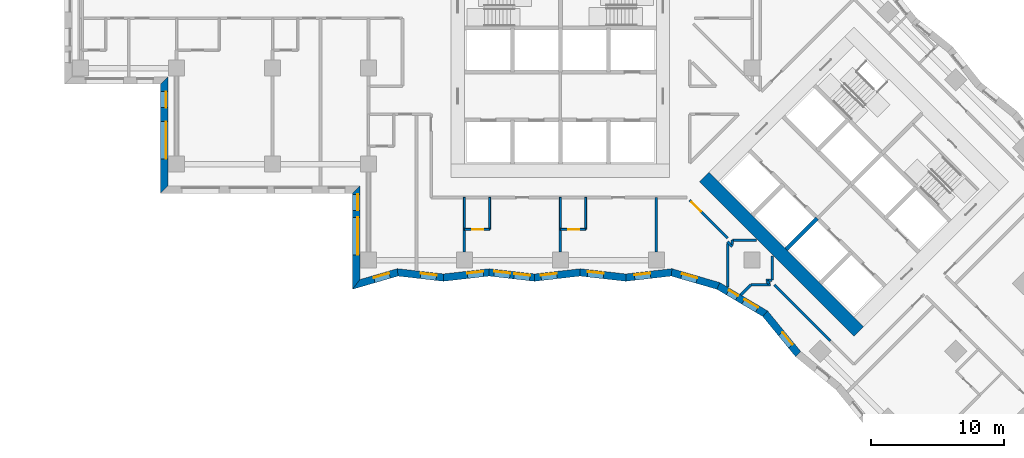
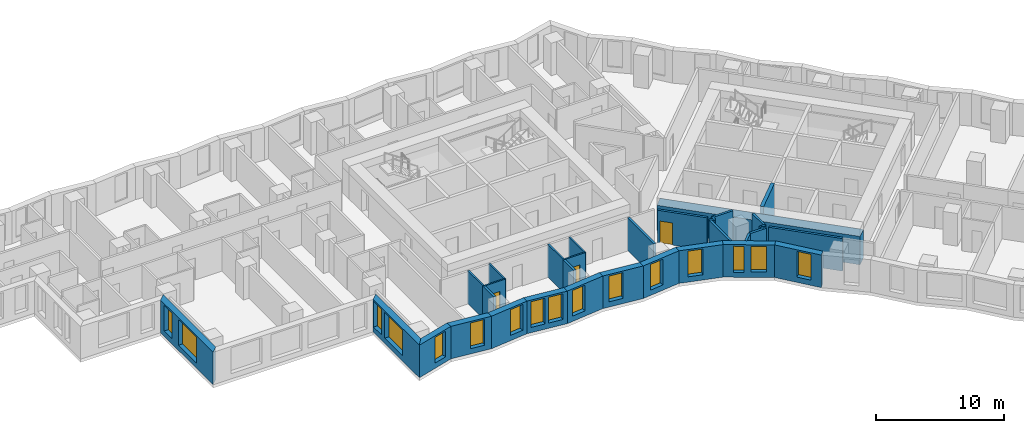
# One storey, part 2 of 12: 34 walls, 16 windows, 3 doors, 19 openings.
"""IFC4 building model written with IfcOpenShell, lengths in metres."""

from ifc_helpers import new_model, si_unit, direction, frame, frame_2d, origin, place, context, subcontext, project, spatial, polyline, rectangle, outline, extrude, material, layer, layer_set, type_object, element, fill, save


model = new_model("IFC4")

# Units and contexts
model_context = context("Model", 3, precision=1e-05, world=origin(), true_north=direction((0.0, 1.0)))
body_context = subcontext(model_context, "Body", "Model", "MODEL_VIEW")
ifc_project = project(units=[si_unit("LENGTHUNIT", "METRE"), si_unit("AREAUNIT", "SQUARE_METRE"), si_unit("VOLUMEUNIT", "CUBIC_METRE"), si_unit("PLANEANGLEUNIT", "RADIAN"), si_unit("MASSUNIT", "GRAM", prefix="KILO")], contexts=[model_context])

# Site, building, storey
site_placement = place(None, origin())
site = spatial("IfcSite", under=ifc_project, at=site_placement, CompositionType="ELEMENT")
building_placement = place(site_placement, origin())
building = spatial("IfcBuilding", under=site, at=building_placement, Name="Windrow Commons", CompositionType="ELEMENT")
storey_placement = place(building_placement, frame((0.0, 0.0, 37.2)))
storey = spatial("IfcBuildingStorey", under=building, at=storey_placement, Name="L09", CompositionType="ELEMENT", Elevation=37.2)

# Wall, openings, windows
ifc_material_1 = material(Name="Brick masonry, red clay brick", Category="masonry")
ifc_layer_1 = layer(ifc_material_1, 0.55)
ifc_layer_set_1 = layer_set([ifc_layer_1], Name="Brick facade wall 550")
wall_type_1 = type_object("IfcWallType", Name="Brick facade wall 550", PredefinedType="SOLIDWALL", material=ifc_layer_set_1)
wall_1_placement = place(storey_placement, frame((35.075, 56.675, 0.0), z_axis=(0.0, 0.0, 1.0), x_axis=(0.0, -1.0, 0.0)))
wall_1 = element("IfcWall", 1, at=wall_1_placement, inside=storey, type_object=wall_type_1, Name="Brick facade wall L09 43", PredefinedType="SOLIDWALL", context=body_context, shape_type="SweptSolid", body=[
    extrude(outline(polyline([(0.275, -0.275), (8.466, -0.275), (7.916, 0.275), (-0.275, 0.275), (0.275, -0.275)])), origin(), (0.0, 0.0, 1.0), 3.1),
])
opening_1_placement = place(wall_1_placement, frame((3.075, 0.0, 0.5)))
opening_1 = element("IfcOpeningElement", 2, at=opening_1_placement, cuts=wall_1, Name="Opening W1T", PredefinedType="OPENING", context=body_context, shape_type="SweptSolid", body=[
    extrude(rectangle(XDim=2.8, YDim=2.45, at=frame_2d((1.4, 1.225))), frame((0.0, 0.285, 0.0), z_axis=(0.0, -1.0, 0.0), x_axis=(1.0, 0.0, 0.0)), (0.0, 0.0, 1.0), 0.57),
])
opening_2_placement = place(wall_1_placement, frame((0.8375, 0.0, 0.5)))
opening_2 = element("IfcOpeningElement", 3, at=opening_2_placement, cuts=wall_1, Name="Opening W7D", PredefinedType="OPENING", context=body_context, shape_type="SweptSolid", body=[
    extrude(rectangle(XDim=1.2, YDim=2.45, at=frame_2d((0.6, 1.225))), frame((0.0, 0.285, 0.0), z_axis=(0.0, -1.0, 0.0), x_axis=(1.0, 0.0, 0.0)), (0.0, 0.0, 1.0), 0.57),
])
ifc_material_2 = material(Name="Clear float glass in anodised aluminium frame", Category="aluminium")
window_type_1 = type_object("IfcWindowType", Name="Window W1T bedroom 2800x2450", PartitioningType="SINGLE_PANEL", PredefinedType="WINDOW", material=ifc_material_2)
window_1_placement = place(opening_1_placement, origin())
window_1 = element("IfcWindow", 4, at=window_1_placement, inside=storey, type_object=window_type_1, Name="Window L09 43.1", OverallHeight=2.45, OverallWidth=2.8, PartitioningType="SINGLE_PANEL", PredefinedType="WINDOW", context=body_context, shape_type="SweptSolid", body=[
    extrude(rectangle(XDim=2.8, YDim=2.45, at=frame_2d((1.4, 1.225))), frame((0.0, 0.155, 0.0), z_axis=(0.0, -1.0, 0.0), x_axis=(1.0, 0.0, 0.0)), (0.0, 0.0, 1.0), 0.06),
])
fill(opening_1, window_1)
ifc_material_3 = material(Name="Clear float glass in anodised aluminium frame", Category="aluminium")
window_type_2 = type_object("IfcWindowType", Name="Window W7 notch 1200x2450", PartitioningType="SINGLE_PANEL", PredefinedType="WINDOW", material=ifc_material_3)
window_2_placement = place(opening_2_placement, origin())
window_2 = element("IfcWindow", 5, at=window_2_placement, inside=storey, type_object=window_type_2, Name="Window L09 43.2", OverallHeight=2.45, OverallWidth=1.2, PartitioningType="SINGLE_PANEL", PredefinedType="WINDOW", context=body_context, shape_type="SweptSolid", body=[
    extrude(rectangle(XDim=1.2, YDim=2.45, at=frame_2d((0.6, 1.225))), frame((0.0, 0.155, 0.0), z_axis=(0.0, -1.0, 0.0), x_axis=(1.0, 0.0, 0.0)), (0.0, 0.0, 1.0), 0.06),
])
fill(opening_2, window_2)

wall_2_placement = place(storey_placement, frame((49.475, 48.484, 0.0), z_axis=(0.0, 0.0, 1.0), x_axis=(0.0, -1.0, 0.0)))
wall_2 = element("IfcWall", 6, at=wall_2_placement, inside=storey, type_object=wall_type_1, Name="Brick facade wall L09 45", PredefinedType="SOLIDWALL", context=body_context, shape_type="SweptSolid", body=[
    extrude(outline(polyline([(0.275, -0.275), (7.475, -0.275), (6.7429, 0.275), (-0.275, 0.275), (0.275, -0.275)])), origin(), (0.0, 0.0, 1.0), 3.1),
])
opening_3_placement = place(wall_2_placement, frame((2.084, 0.0, 0.5)))
opening_3 = element("IfcOpeningElement", 7, at=opening_3_placement, cuts=wall_2, Name="Opening W1T", PredefinedType="OPENING", context=body_context, shape_type="SweptSolid", body=[
    extrude(rectangle(XDim=2.8, YDim=2.45, at=frame_2d((1.4, 1.225))), frame((0.0, 0.285, 0.0), z_axis=(0.0, -1.0, 0.0), x_axis=(1.0, 0.0, 0.0)), (0.0, 0.0, 1.0), 0.57),
])
opening_4_placement = place(wall_2_placement, frame((0.342, 0.0, 0.5)))
opening_4 = element("IfcOpeningElement", 8, at=opening_4_placement, cuts=wall_2, Name="Opening W7D", PredefinedType="OPENING", context=body_context, shape_type="SweptSolid", body=[
    extrude(rectangle(XDim=1.2, YDim=2.45, at=frame_2d((0.6, 1.225))), frame((0.0, 0.285, 0.0), z_axis=(0.0, -1.0, 0.0), x_axis=(1.0, 0.0, 0.0)), (0.0, 0.0, 1.0), 0.57),
])
window_3_placement = place(opening_3_placement, origin())
window_3 = element("IfcWindow", 9, at=window_3_placement, inside=storey, type_object=window_type_1, Name="Window L09 45.1", OverallHeight=2.45, OverallWidth=2.8, PartitioningType="SINGLE_PANEL", PredefinedType="WINDOW", context=body_context, shape_type="SweptSolid", body=[
    extrude(rectangle(XDim=2.8, YDim=2.45, at=frame_2d((1.4, 1.225))), frame((0.0, 0.155, 0.0), z_axis=(0.0, -1.0, 0.0), x_axis=(1.0, 0.0, 0.0)), (0.0, 0.0, 1.0), 0.06),
])
fill(opening_3, window_3)
window_4_placement = place(opening_4_placement, origin())
window_4 = element("IfcWindow", 10, at=window_4_placement, inside=storey, type_object=window_type_2, Name="Window L09 45.2", OverallHeight=2.45, OverallWidth=1.2, PartitioningType="SINGLE_PANEL", PredefinedType="WINDOW", context=body_context, shape_type="SweptSolid", body=[
    extrude(rectangle(XDim=1.2, YDim=2.45, at=frame_2d((0.6, 1.225))), frame((0.0, 0.155, 0.0), z_axis=(0.0, -1.0, 0.0), x_axis=(1.0, 0.0, 0.0)), (0.0, 0.0, 1.0), 0.06),
])
fill(opening_4, window_4)

# Wall, opening, window
wall_3_placement = place(storey_placement, frame((49.475, 41.3751, 0.0), z_axis=(0.0, 0.0, 1.0), x_axis=(0.9604525251, 0.2784437952, 0.0)))
wall_3 = element("IfcWall", 11, at=wall_3_placement, inside=storey, type_object=wall_type_1, Name="Brick facade wall L09 46", PredefinedType="SOLIDWALL", context=body_context, shape_type="SweptSolid", body=[
    extrude(outline(polyline([(-0.3661, -0.275), (3.1929, -0.275), (3.3032, 0.275), (0.3661, 0.275), (-0.3661, -0.275)])), origin(), (0.0, 0.0, 1.0), 3.1),
])
opening_5_placement = place(wall_3_placement, frame((1.4056, 0.0, 0.5)))
opening_5 = element("IfcOpeningElement", 12, at=opening_5_placement, cuts=wall_3, Name="Opening W7D", PredefinedType="OPENING", context=body_context, shape_type="SweptSolid", body=[
    extrude(rectangle(XDim=1.2, YDim=2.45, at=frame_2d((0.6, 1.225))), frame((0.0, 0.285, 0.0), z_axis=(0.0, -1.0, 0.0), x_axis=(1.0, 0.0, 0.0)), (0.0, 0.0, 1.0), 0.57),
])
window_5_placement = place(opening_5_placement, origin())
window_5 = element("IfcWindow", 13, at=window_5_placement, inside=storey, type_object=window_type_2, Name="Window L09 46.1", OverallHeight=2.45, OverallWidth=1.2, PartitioningType="SINGLE_PANEL", PredefinedType="WINDOW", context=body_context, shape_type="SweptSolid", body=[
    extrude(rectangle(XDim=1.2, YDim=2.45, at=frame_2d((0.6, 1.225))), frame((0.0, 0.155, 0.0), z_axis=(0.0, -1.0, 0.0), x_axis=(1.0, 0.0, 0.0)), (0.0, 0.0, 1.0), 0.06),
])
fill(opening_5, window_5)

wall_4_placement = place(storey_placement, frame((52.5946, 42.2795, 0.0), z_axis=(0.0, 0.0, 1.0), x_axis=(0.9935212234, -0.1136467272, 0.0)))
wall_4 = element("IfcWall", 14, at=wall_4_placement, inside=storey, type_object=wall_type_1, Name="Brick facade wall L09 47", PredefinedType="SOLIDWALL", context=body_context, shape_type="SweptSolid", body=[
    extrude(outline(polyline([(0.0552, -0.275), (3.4957, -0.275), (3.4327, 0.275), (-0.0552, 0.275), (0.0552, -0.275)])), origin(), (0.0, 0.0, 1.0), 3.1),
])
opening_6_placement = place(wall_4_placement, frame((1.7236, 0.0, 0.5)))
opening_6 = element("IfcOpeningElement", 15, at=opening_6_placement, cuts=wall_4, Name="Opening W7D", PredefinedType="OPENING", context=body_context, shape_type="SweptSolid", body=[
    extrude(rectangle(XDim=1.2, YDim=2.45, at=frame_2d((0.6, 1.225))), frame((0.0, 0.285, 0.0), z_axis=(0.0, -1.0, 0.0), x_axis=(1.0, 0.0, 0.0)), (0.0, 0.0, 1.0), 0.57),
])
window_6_placement = place(opening_6_placement, origin())
window_6 = element("IfcWindow", 16, at=window_6_placement, inside=storey, type_object=window_type_2, Name="Window L09 47.1", OverallHeight=2.45, OverallWidth=1.2, PartitioningType="SINGLE_PANEL", PredefinedType="WINDOW", context=body_context, shape_type="SweptSolid", body=[
    extrude(rectangle(XDim=1.2, YDim=2.45, at=frame_2d((0.6, 1.225))), frame((0.0, 0.155, 0.0), z_axis=(0.0, -1.0, 0.0), x_axis=(1.0, 0.0, 0.0)), (0.0, 0.0, 1.0), 0.06),
])
fill(opening_6, window_6)

wall_5_placement = place(storey_placement, frame((56.0364, 41.8858, 0.0), z_axis=(0.0, 0.0, 1.0), x_axis=(0.9935208627, 0.1136498807, 0.0)))
wall_5 = element("IfcWall", 17, at=wall_5_placement, inside=storey, type_object=wall_type_1, Name="Brick facade wall L09 48", PredefinedType="SOLIDWALL", context=body_context, shape_type="SweptSolid", body=[
    extrude(outline(polyline([(-0.0315, -0.275), (3.409, -0.275), (3.4719, 0.275), (0.0315, 0.275), (-0.0315, -0.275)])), origin(), (0.0, 0.0, 1.0), 3.1),
])
opening_7_placement = place(wall_5_placement, frame((1.8072, 0.0, 0.5)))
opening_7 = element("IfcOpeningElement", 18, at=opening_7_placement, cuts=wall_5, Name="Opening W7D", PredefinedType="OPENING", context=body_context, shape_type="SweptSolid", body=[
    extrude(rectangle(XDim=1.2, YDim=2.45, at=frame_2d((0.6, 1.225))), frame((0.0, 0.285, 0.0), z_axis=(0.0, -1.0, 0.0), x_axis=(1.0, 0.0, 0.0)), (0.0, 0.0, 1.0), 0.57),
])
window_7_placement = place(opening_7_placement, origin())
window_7 = element("IfcWindow", 19, at=window_7_placement, inside=storey, type_object=window_type_2, Name="Window L09 48.1", OverallHeight=2.45, OverallWidth=1.2, PartitioningType="SINGLE_PANEL", PredefinedType="WINDOW", context=body_context, shape_type="SweptSolid", body=[
    extrude(rectangle(XDim=1.2, YDim=2.45, at=frame_2d((0.6, 1.225))), frame((0.0, 0.155, 0.0), z_axis=(0.0, -1.0, 0.0), x_axis=(1.0, 0.0, 0.0)), (0.0, 0.0, 1.0), 0.06),
])
fill(opening_7, window_7)

# Wall, openings, windows
wall_6_placement = place(storey_placement, frame((59.4545, 42.2768, 0.0), z_axis=(0.0, 0.0, 1.0), x_axis=(0.9935212381, -0.1136465988, 0.0)))
wall_6 = element("IfcWall", 20, at=wall_6_placement, inside=storey, type_object=wall_type_1, Name="Brick facade wall L09 49", PredefinedType="SOLIDWALL", context=body_context, shape_type="SweptSolid", body=[
    extrude(outline(polyline([(0.0315, -0.275), (3.4719, -0.275), (3.409, 0.275), (-0.0315, 0.275), (0.0315, -0.275)])), origin(), (0.0, 0.0, 1.0), 3.1),
])
opening_8_placement = place(wall_6_placement, frame((0.3784, 0.0, 0.5)))
opening_8 = element("IfcOpeningElement", 21, at=opening_8_placement, cuts=wall_6, Name="Opening W7D", PredefinedType="OPENING", context=body_context, shape_type="SweptSolid", body=[
    extrude(rectangle(XDim=1.2, YDim=2.45, at=frame_2d((0.6, 1.225))), frame((0.0, 0.285, 0.0), z_axis=(0.0, -1.0, 0.0), x_axis=(1.0, 0.0, 0.0)), (0.0, 0.0, 1.0), 0.57),
])
opening_9_placement = place(wall_6_placement, frame((1.8829, 0.0, 0.5)))
opening_9 = element("IfcOpeningElement", 22, at=opening_9_placement, cuts=wall_6, Name="Opening W7D", PredefinedType="OPENING", context=body_context, shape_type="SweptSolid", body=[
    extrude(rectangle(XDim=1.2, YDim=2.45, at=frame_2d((0.6, 1.225))), frame((0.0, 0.285, 0.0), z_axis=(0.0, -1.0, 0.0), x_axis=(1.0, 0.0, 0.0)), (0.0, 0.0, 1.0), 0.57),
])
window_8_placement = place(opening_8_placement, origin())
window_8 = element("IfcWindow", 23, at=window_8_placement, inside=storey, type_object=window_type_2, Name="Window L09 49.1", OverallHeight=2.45, OverallWidth=1.2, PartitioningType="SINGLE_PANEL", PredefinedType="WINDOW", context=body_context, shape_type="SweptSolid", body=[
    extrude(rectangle(XDim=1.2, YDim=2.45, at=frame_2d((0.6, 1.225))), frame((0.0, 0.155, 0.0), z_axis=(0.0, -1.0, 0.0), x_axis=(1.0, 0.0, 0.0)), (0.0, 0.0, 1.0), 0.06),
])
fill(opening_8, window_8)
window_9_placement = place(opening_9_placement, origin())
window_9 = element("IfcWindow", 24, at=window_9_placement, inside=storey, type_object=window_type_2, Name="Window L09 49.2", OverallHeight=2.45, OverallWidth=1.2, PartitioningType="SINGLE_PANEL", PredefinedType="WINDOW", context=body_context, shape_type="SweptSolid", body=[
    extrude(rectangle(XDim=1.2, YDim=2.45, at=frame_2d((0.6, 1.225))), frame((0.0, 0.155, 0.0), z_axis=(0.0, -1.0, 0.0), x_axis=(1.0, 0.0, 0.0)), (0.0, 0.0, 1.0), 0.06),
])
fill(opening_9, window_9)

# Wall, opening, window
wall_7_placement = place(storey_placement, frame((62.8727, 41.8858, 0.0), z_axis=(0.0, 0.0, 1.0), x_axis=(0.9935212381, 0.1136465988, 0.0)))
wall_7 = element("IfcWall", 25, at=wall_7_placement, inside=storey, type_object=wall_type_1, Name="Brick facade wall L09 50", PredefinedType="SOLIDWALL", context=body_context, shape_type="SweptSolid", body=[
    extrude(outline(polyline([(-0.0315, -0.275), (3.409, -0.275), (3.4719, 0.275), (0.0315, 0.275), (-0.0315, -0.275)])), origin(), (0.0, 0.0, 1.0), 3.1),
])
opening_10_placement = place(wall_7_placement, frame((0.4857, 0.0, 0.5)))
opening_10 = element("IfcOpeningElement", 26, at=opening_10_placement, cuts=wall_7, Name="Opening W7D", PredefinedType="OPENING", context=body_context, shape_type="SweptSolid", body=[
    extrude(rectangle(XDim=1.2, YDim=2.45, at=frame_2d((0.6, 1.225))), frame((0.0, 0.285, 0.0), z_axis=(0.0, -1.0, 0.0), x_axis=(1.0, 0.0, 0.0)), (0.0, 0.0, 1.0), 0.57),
])
window_10_placement = place(opening_10_placement, origin())
window_10 = element("IfcWindow", 27, at=window_10_placement, inside=storey, type_object=window_type_2, Name="Window L09 50.1", OverallHeight=2.45, OverallWidth=1.2, PartitioningType="SINGLE_PANEL", PredefinedType="WINDOW", context=body_context, shape_type="SweptSolid", body=[
    extrude(rectangle(XDim=1.2, YDim=2.45, at=frame_2d((0.6, 1.225))), frame((0.0, 0.155, 0.0), z_axis=(0.0, -1.0, 0.0), x_axis=(1.0, 0.0, 0.0)), (0.0, 0.0, 1.0), 0.06),
])
fill(opening_10, window_10)

wall_8_placement = place(storey_placement, frame((66.2909, 42.2768, 0.0), z_axis=(0.0, 0.0, 1.0), x_axis=(0.9935212381, -0.1136465988, 0.0)))
wall_8 = element("IfcWall", 28, at=wall_8_placement, inside=storey, type_object=wall_type_1, Name="Brick facade wall L09 51", PredefinedType="SOLIDWALL", context=body_context, shape_type="SweptSolid", body=[
    extrude(outline(polyline([(0.0315, -0.275), (3.4719, -0.275), (3.409, 0.275), (-0.0315, 0.275), (0.0315, -0.275)])), origin(), (0.0, 0.0, 1.0), 3.1),
])
opening_11_placement = place(wall_8_placement, frame((0.5614, 0.0, 0.5)))
opening_11 = element("IfcOpeningElement", 29, at=opening_11_placement, cuts=wall_8, Name="Opening W7D", PredefinedType="OPENING", context=body_context, shape_type="SweptSolid", body=[
    extrude(rectangle(XDim=1.2, YDim=2.45, at=frame_2d((0.6, 1.225))), frame((0.0, 0.285, 0.0), z_axis=(0.0, -1.0, 0.0), x_axis=(1.0, 0.0, 0.0)), (0.0, 0.0, 1.0), 0.57),
])
window_11_placement = place(opening_11_placement, origin())
window_11 = element("IfcWindow", 30, at=window_11_placement, inside=storey, type_object=window_type_2, Name="Window L09 51.1", OverallHeight=2.45, OverallWidth=1.2, PartitioningType="SINGLE_PANEL", PredefinedType="WINDOW", context=body_context, shape_type="SweptSolid", body=[
    extrude(rectangle(XDim=1.2, YDim=2.45, at=frame_2d((0.6, 1.225))), frame((0.0, 0.155, 0.0), z_axis=(0.0, -1.0, 0.0), x_axis=(1.0, 0.0, 0.0)), (0.0, 0.0, 1.0), 0.06),
])
fill(opening_11, window_11)

wall_9_placement = place(storey_placement, frame((69.7091, 41.8858, 0.0), z_axis=(0.0, 0.0, 1.0), x_axis=(0.9935208506, 0.1136499866, 0.0)))
wall_9 = element("IfcWall", 31, at=wall_9_placement, inside=storey, type_object=wall_type_1, Name="Brick facade wall L09 52", PredefinedType="SOLIDWALL", context=body_context, shape_type="SweptSolid", body=[
    extrude(outline(polyline([(-0.0315, -0.275), (3.409, -0.275), (3.5194, 0.275), (0.0315, 0.275), (-0.0315, -0.275)])), origin(), (0.0, 0.0, 1.0), 3.1),
])
opening_12_placement = place(wall_9_placement, frame((0.6687, 0.0, 0.5)))
opening_12 = element("IfcOpeningElement", 32, at=opening_12_placement, cuts=wall_9, Name="Opening W7D", PredefinedType="OPENING", context=body_context, shape_type="SweptSolid", body=[
    extrude(rectangle(XDim=1.2, YDim=2.45, at=frame_2d((0.6, 1.225))), frame((0.0, 0.285, 0.0), z_axis=(0.0, -1.0, 0.0), x_axis=(1.0, 0.0, 0.0)), (0.0, 0.0, 1.0), 0.57),
])
window_12_placement = place(opening_12_placement, origin())
window_12 = element("IfcWindow", 33, at=window_12_placement, inside=storey, type_object=window_type_2, Name="Window L09 52.1", OverallHeight=2.45, OverallWidth=1.2, PartitioningType="SINGLE_PANEL", PredefinedType="WINDOW", context=body_context, shape_type="SweptSolid", body=[
    extrude(rectangle(XDim=1.2, YDim=2.45, at=frame_2d((0.6, 1.225))), frame((0.0, 0.155, 0.0), z_axis=(0.0, -1.0, 0.0), x_axis=(1.0, 0.0, 0.0)), (0.0, 0.0, 1.0), 0.06),
])
fill(opening_12, window_12)

wall_10_placement = place(storey_placement, frame((73.1508, 42.2795, 0.0), z_axis=(0.0, 0.0, 1.0), x_axis=(0.9604505413, -0.2784506377, 0.0)))
wall_10 = element("IfcWall", 34, at=wall_10_placement, inside=storey, type_object=wall_type_1, Name="Brick facade wall L09 53", PredefinedType="SOLIDWALL", context=body_context, shape_type="SweptSolid", body=[
    extrude(outline(polyline([(0.0552, -0.275), (3.6141, -0.275), (3.684, 0.275), (-0.0552, 0.275), (0.0552, -0.275)])), origin(), (0.0, 0.0, 1.0), 3.1),
])
opening_13_placement = place(wall_10_placement, frame((0.775, 0.0, 0.5)))
opening_13 = element("IfcOpeningElement", 35, at=opening_13_placement, cuts=wall_10, Name="Opening W7D", PredefinedType="OPENING", context=body_context, shape_type="SweptSolid", body=[
    extrude(rectangle(XDim=1.2, YDim=2.45, at=frame_2d((0.6, 1.225))), frame((0.0, 0.285, 0.0), z_axis=(0.0, -1.0, 0.0), x_axis=(1.0, 0.0, 0.0)), (0.0, 0.0, 1.0), 0.57),
])
window_13_placement = place(opening_13_placement, origin())
window_13 = element("IfcWindow", 36, at=window_13_placement, inside=storey, type_object=window_type_2, Name="Window L09 53.1", OverallHeight=2.45, OverallWidth=1.2, PartitioningType="SINGLE_PANEL", PredefinedType="WINDOW", context=body_context, shape_type="SweptSolid", body=[
    extrude(rectangle(XDim=1.2, YDim=2.45, at=frame_2d((0.6, 1.225))), frame((0.0, 0.155, 0.0), z_axis=(0.0, -1.0, 0.0), x_axis=(1.0, 0.0, 0.0)), (0.0, 0.0, 1.0), 0.06),
])
fill(opening_13, window_13)

# Wall, openings, windows
wall_11_placement = place(storey_placement, frame((76.6556, 41.2634, 0.0), z_axis=(0.0, 0.0, 1.0), x_axis=(0.8602155685, -0.5099305597, 0.0)))
wall_11 = element("IfcWall", 37, at=wall_11_placement, inside=storey, type_object=wall_type_1, Name="Brick facade wall L09 54", PredefinedType="SOLIDWALL", context=body_context, shape_type="SweptSolid", body=[
    extrude(outline(polyline([(0.035, -0.275), (4.0359, -0.275), (4.1334, 0.275), (-0.035, 0.275), (0.035, -0.275)])), origin(), (0.0, 0.0, 1.0), 3.1),
])
opening_14_placement = place(wall_11_placement, frame((2.2017, 0.0, 0.5)))
opening_14 = element("IfcOpeningElement", 38, at=opening_14_placement, cuts=wall_11, Name="Opening W7D", PredefinedType="OPENING", context=body_context, shape_type="SweptSolid", body=[
    extrude(rectangle(XDim=1.2, YDim=2.45, at=frame_2d((0.6, 1.225))), frame((0.0, 0.285, 0.0), z_axis=(0.0, -1.0, 0.0), x_axis=(1.0, 0.0, 0.0)), (0.0, 0.0, 1.0), 0.57),
])
opening_15_placement = place(wall_11_placement, frame((0.8478, 0.0, 0.45)))
opening_15 = element("IfcOpeningElement", 39, at=opening_15_placement, cuts=wall_11, Name="Opening W1N", PredefinedType="OPENING", context=body_context, shape_type="SweptSolid", body=[
    extrude(rectangle(XDim=0.8, YDim=2.5, at=frame_2d((0.4, 1.25))), frame((0.0, 0.285, 0.0), z_axis=(0.0, -1.0, 0.0), x_axis=(1.0, 0.0, 0.0)), (0.0, 0.0, 1.0), 0.57),
])
ifc_material_4 = material(Name="Clear float glass in anodised aluminium frame", Category="aluminium")
window_type_3 = type_object("IfcWindowType", Name="Window W1N slit 800x2500", PartitioningType="SINGLE_PANEL", PredefinedType="WINDOW", material=ifc_material_4)
window_14_placement = place(opening_15_placement, origin())
window_14 = element("IfcWindow", 40, at=window_14_placement, inside=storey, type_object=window_type_3, Name="Window L09 54.1A", OverallHeight=2.5, OverallWidth=0.8, PartitioningType="SINGLE_PANEL", PredefinedType="WINDOW", context=body_context, shape_type="SweptSolid", body=[
    extrude(rectangle(XDim=0.8, YDim=2.5, at=frame_2d((0.4, 1.25))), frame((0.0, 0.155, 0.0), z_axis=(0.0, -1.0, 0.0), x_axis=(1.0, 0.0, 0.0)), (0.0, 0.0, 1.0), 0.06),
])
fill(opening_15, window_14)
window_15_placement = place(opening_14_placement, origin())
window_15 = element("IfcWindow", 41, at=window_15_placement, inside=storey, type_object=window_type_2, Name="Window L09 54.2", OverallHeight=2.45, OverallWidth=1.2, PartitioningType="SINGLE_PANEL", PredefinedType="WINDOW", context=body_context, shape_type="SweptSolid", body=[
    extrude(rectangle(XDim=1.2, YDim=2.45, at=frame_2d((0.6, 1.225))), frame((0.0, 0.155, 0.0), z_axis=(0.0, -1.0, 0.0), x_axis=(1.0, 0.0, 0.0)), (0.0, 0.0, 1.0), 0.06),
])
fill(opening_14, window_15)

# Wall, opening, window
wall_12_placement = place(storey_placement, frame((80.1693, 39.1805, 0.0), z_axis=(0.0, 0.0, 1.0), x_axis=(0.6325618832, -0.7745098217, 0.0)))
wall_12 = element("IfcWall", 42, at=wall_12_placement, inside=storey, type_object=wall_type_1, Name="Brick facade wall L09 55", PredefinedType="SOLIDWALL", context=body_context, shape_type="SweptSolid", body=[
    extrude(outline(polyline([(0.0487, -0.275), (3.9447, -0.275), (3.8892, 0.275), (-0.0487, 0.275), (0.0487, -0.275)])), origin(), (0.0, 0.0, 1.0), 3.1),
])
opening_16_placement = place(wall_12_placement, frame((1.9018, 0.0, 0.5)))
opening_16 = element("IfcOpeningElement", 43, at=opening_16_placement, cuts=wall_12, Name="Opening W7D", PredefinedType="OPENING", context=body_context, shape_type="SweptSolid", body=[
    extrude(rectangle(XDim=1.2, YDim=2.45, at=frame_2d((0.6, 1.225))), frame((0.0, 0.285, 0.0), z_axis=(0.0, -1.0, 0.0), x_axis=(1.0, 0.0, 0.0)), (0.0, 0.0, 1.0), 0.57),
])
window_16_placement = place(opening_16_placement, origin())
window_16 = element("IfcWindow", 44, at=window_16_placement, inside=storey, type_object=window_type_2, Name="Window L09 55.1", OverallHeight=2.45, OverallWidth=1.2, PartitioningType="SINGLE_PANEL", PredefinedType="WINDOW", context=body_context, shape_type="SweptSolid", body=[
    extrude(rectangle(XDim=1.2, YDim=2.45, at=frame_2d((0.6, 1.225))), frame((0.0, 0.155, 0.0), z_axis=(0.0, -1.0, 0.0), x_axis=(1.0, 0.0, 0.0)), (0.0, 0.0, 1.0), 0.06),
])
fill(opening_16, window_16)

# Wall
ifc_material_5 = material(Name="Blockwork partition", Category="masonry")
ifc_layer_2 = layer(ifc_material_5, 0.2)
ifc_layer_set_2 = layer_set([ifc_layer_2], Name="IW-CORRIDOR-200")
wall_type_2 = type_object("IfcWallType", Name="IW-CORRIDOR-200", PredefinedType="PARTITIONING", material=ifc_layer_set_2)
wall_13_placement = place(storey_placement, frame((85.0698, 37.1418, 0.0), z_axis=(0.0, 0.0, 1.0), x_axis=(-0.7070899851, 0.7071235769, 0.0)))
element("IfcWall", 45, at=wall_13_placement, inside=storey, type_object=wall_type_2, Name="W-L09-W032", PredefinedType="PARTITIONING", context=body_context, shape_type="SweptSolid", body=[
    extrude(rectangle(XDim=5.9538, YDim=0.2, at=frame_2d((2.9769, 0.0))), origin(), (0.0, 0.0, 1.0), 3.1),
])

# Wall, opening, door
wall_14_placement = place(storey_placement, frame((74.5051, 47.6971, 0.0), z_axis=(0.0, 0.0, 1.0), x_axis=(0.7071067812, -0.7071067812, 0.0)))
wall_14 = element("IfcWall", 46, at=wall_14_placement, inside=storey, type_object=wall_type_2, Name="W-L09-W050", PredefinedType="PARTITIONING", context=body_context, shape_type="SweptSolid", body=[
    extrude(rectangle(XDim=4.0192, YDim=0.2, at=frame_2d((2.0096, 0.0))), origin(), (0.0, 0.0, 1.0), 3.1),
])
opening_17_placement = place(wall_14_placement, frame((0.2147, 0.0, 0.0)))
opening_17 = element("IfcOpeningElement", 47, at=opening_17_placement, cuts=wall_14, Name="Opening D310F", PredefinedType="OPENING", context=body_context, shape_type="SweptSolid", body=[
    extrude(rectangle(XDim=1.0, YDim=2.1, at=frame_2d((0.5, 1.05))), frame((0.0, 0.11, 0.0), z_axis=(0.0, -1.0, 0.0), x_axis=(1.0, 0.0, 0.0)), (0.0, 0.0, 1.0), 0.22),
])
ifc_material_6 = material(Name="Timber door leaf", Category="wood")
door_type_1 = type_object("IfcDoorType", Name="DT-AMENITY-1000", OperationType="SINGLE_SWING_LEFT", PredefinedType="DOOR", material=ifc_material_6)
door_1_placement = place(opening_17_placement, origin())
door_1 = element("IfcDoor", 48, at=door_1_placement, inside=storey, type_object=door_type_1, Name="D-L09-D036", OperationType="SINGLE_SWING_LEFT", OverallHeight=2.1, OverallWidth=1.0, PredefinedType="DOOR", context=body_context, shape_type="SweptSolid", body=[
    extrude(rectangle(XDim=1.0, YDim=2.1, at=frame_2d((0.5, 1.05))), frame((0.0, 0.025, 0.0), z_axis=(0.0, -1.0, 0.0), x_axis=(1.0, 0.0, 0.0)), (0.0, 0.0, 1.0), 0.05),
])
fill(opening_17, door_1)

# Walls
for number, where, z_axis, x_axis, name in (
    (49, (77.702, 44.7, 0.0), (0.0, 0.0, 1.0), (1.0, 0.0, 0.0), "W-L09-W143"),
    (50, (80.7, 41.702, 0.0), (0.0, 0.0, 1.0), (0.0, 1.0, 0.0), "W-L09-W144"),
):
    element("IfcWall", number, at=place(storey_placement, frame(where, z_axis=z_axis, x_axis=x_axis)), inside=storey, type_object=wall_type_2, Name=name, PredefinedType="PARTITIONING", context=body_context, shape_type="SweptSolid", body=[
        extrude(rectangle(XDim=1.814, YDim=0.2, at=frame_2d((0.907, 0.0))), origin(), (0.0, 0.0, 1.0), 3.1),
    ])
wall_15_placement = place(storey_placement, frame((77.3467, 44.5727, 0.0), z_axis=(0.0, 0.0, 1.0), x_axis=(0.7071067812, -0.7071067812, 0.0)))
element("IfcWall", 51, at=wall_15_placement, inside=storey, type_object=wall_type_2, Name="W-L09-W187", PredefinedType="PARTITIONING", context=body_context, shape_type="SweptSolid", body=[
    extrude(rectangle(XDim=0.495, YDim=0.2, at=frame_2d((0.2475, 0.0))), origin(), (0.0, 0.0, 1.0), 3.1),
])
wall_16_placement = place(storey_placement, frame((80.3146, 41.6048, 0.0), z_axis=(0.0, 0.0, 1.0), x_axis=(0.7071067812, -0.7071067812, 0.0)))
element("IfcWall", 52, at=wall_16_placement, inside=storey, type_object=wall_type_2, Name="W-L09-W188", PredefinedType="PARTITIONING", context=body_context, shape_type="SweptSolid", body=[
    extrude(rectangle(XDim=0.225, YDim=0.2, at=frame_2d((0.1125, 0.0))), origin(), (0.0, 0.0, 1.0), 3.1),
])
wall_17_placement = place(storey_placement, frame((77.7, 44.356, 0.0), z_axis=(0.0, 0.0, 1.0), x_axis=(0.0, 1.0, 0.0)))
element("IfcWall", 53, at=wall_17_placement, inside=storey, type_object=wall_type_2, Name="W-L09-W191", PredefinedType="PARTITIONING", context=body_context, shape_type="SweptSolid", body=[
    extrude(rectangle(XDim=0.344, YDim=0.2, at=frame_2d((0.172, 0.0))), origin(), (0.0, 0.0, 1.0), 3.1),
])
wall_18_placement = place(storey_placement, frame((80.226, 41.7, 0.0), z_axis=(0.0, 0.0, 1.0), x_axis=(1.0, 0.0, 0.0)))
element("IfcWall", 54, at=wall_18_placement, inside=storey, type_object=wall_type_2, Name="W-L09-W192", PredefinedType="PARTITIONING", context=body_context, shape_type="SweptSolid", body=[
    extrude(rectangle(XDim=0.474, YDim=0.2, at=frame_2d((0.237, 0.0))), origin(), (0.0, 0.0, 1.0), 3.1),
])
ifc_material_7 = material(Name="Blockwork partition", Category="masonry")
ifc_layer_3 = layer(ifc_material_7, 0.15)
ifc_layer_set_3 = layer_set([ifc_layer_3], Name="IW-ENSUITE-150")
wall_type_3 = type_object("IfcWallType", Name="IW-ENSUITE-150", PredefinedType="PARTITIONING", material=ifc_layer_set_3)
for number, where, z_axis, x_axis, name in (
    (55, (59.5, 45.5, 0.0), (0.0, 0.0, 1.0), (0.0, 1.0, 0.0), "W-L09-W088"),
    (56, (57.6, 45.5, 0.0), (0.0, 0.0, 1.0), (0.0, 1.0, 0.0), "W-L09-W089"),
    (57, (66.7, 45.5, 0.0), (0.0, 0.0, 1.0), (0.0, 1.0, 0.0), "W-L09-W090"),
    (58, (64.8, 45.5, 0.0), (0.0, 0.0, 1.0), (0.0, 1.0, 0.0), "W-L09-W091"),
):
    element("IfcWall", number, at=place(storey_placement, frame(where, z_axis=z_axis, x_axis=x_axis)), inside=storey, type_object=wall_type_3, Name=name, PredefinedType="PARTITIONING", context=body_context, shape_type="SweptSolid", body=[
        extrude(rectangle(XDim=2.4, YDim=0.15, at=frame_2d((1.2, 0.0))), origin(), (0.0, 0.0, 1.0), 3.1),
    ])

# Wall, opening, door
wall_19_placement = place(storey_placement, frame((64.8, 45.5, 0.0), z_axis=(0.0, 0.0, 1.0), x_axis=(1.0, 0.0, 0.0)))
wall_19 = element("IfcWall", 59, at=wall_19_placement, inside=storey, type_object=wall_type_3, Name="W-L09-W127", PredefinedType="PARTITIONING", context=body_context, shape_type="SweptSolid", body=[
    extrude(rectangle(XDim=1.9, YDim=0.15, at=frame_2d((0.95, 0.0))), origin(), (0.0, 0.0, 1.0), 3.1),
])
opening_18_placement = place(wall_19_placement, frame((0.6069, 0.0, 0.0)))
opening_18 = element("IfcOpeningElement", 60, at=opening_18_placement, cuts=wall_19, Name="Opening D208N", PredefinedType="OPENING", context=body_context, shape_type="SweptSolid", body=[
    extrude(rectangle(XDim=0.8, YDim=2.1, at=frame_2d((0.4, 1.05))), frame((0.0, 0.085, 0.0), z_axis=(0.0, -1.0, 0.0), x_axis=(1.0, 0.0, 0.0)), (0.0, 0.0, 1.0), 0.17),
])
ifc_material_8 = material(Name="Timber door leaf", Category="wood")
door_type_2 = type_object("IfcDoorType", Name="DT-ENSUITE-800", OperationType="SINGLE_SWING_LEFT", PredefinedType="DOOR", material=ifc_material_8)
door_2_placement = place(opening_18_placement, origin())
door_2 = element("IfcDoor", 61, at=door_2_placement, inside=storey, type_object=door_type_2, Name="D-L09-D035", OperationType="SINGLE_SWING_RIGHT", OverallHeight=2.1, OverallWidth=0.8, PredefinedType="DOOR", context=body_context, shape_type="SweptSolid", body=[
    extrude(rectangle(XDim=0.8, YDim=2.1, at=frame_2d((0.4, 1.05))), frame((0.0, 0.025, 0.0), z_axis=(0.0, -1.0, 0.0), x_axis=(1.0, 0.0, 0.0)), (0.0, 0.0, 1.0), 0.05),
])
fill(opening_18, door_2)

wall_20_placement = place(storey_placement, frame((57.6, 45.5, 0.0), z_axis=(0.0, 0.0, 1.0), x_axis=(1.0, 0.0, 0.0)))
wall_20 = element("IfcWall", 62, at=wall_20_placement, inside=storey, type_object=wall_type_3, Name="W-L09-W135", PredefinedType="PARTITIONING", context=body_context, shape_type="SweptSolid", body=[
    extrude(rectangle(XDim=1.9, YDim=0.15, at=frame_2d((0.95, 0.0))), origin(), (0.0, 0.0, 1.0), 3.1),
])
opening_19_placement = place(wall_20_placement, frame((0.6069, 0.0, 0.0)))
opening_19 = element("IfcOpeningElement", 63, at=opening_19_placement, cuts=wall_20, Name="Opening D208N", PredefinedType="OPENING", context=body_context, shape_type="SweptSolid", body=[
    extrude(rectangle(XDim=0.8, YDim=2.1, at=frame_2d((0.4, 1.05))), frame((0.0, 0.085, 0.0), z_axis=(0.0, -1.0, 0.0), x_axis=(1.0, 0.0, 0.0)), (0.0, 0.0, 1.0), 0.17),
])
door_3_placement = place(opening_19_placement, origin())
door_3 = element("IfcDoor", 64, at=door_3_placement, inside=storey, type_object=door_type_2, Name="D-L09-D033", OperationType="SINGLE_SWING_RIGHT", OverallHeight=2.1, OverallWidth=0.8, PredefinedType="DOOR", context=body_context, shape_type="SweptSolid", body=[
    extrude(rectangle(XDim=0.8, YDim=2.1, at=frame_2d((0.4, 1.05))), frame((0.0, 0.025, 0.0), z_axis=(0.0, -1.0, 0.0), x_axis=(1.0, 0.0, 0.0)), (0.0, 0.0, 1.0), 0.05),
])
fill(opening_19, door_3)

# Walls
ifc_material_9 = material(Name="Blockwork partition", Category="masonry")
ifc_layer_4 = layer(ifc_material_9, 0.2)
ifc_layer_set_4 = layer_set([ifc_layer_4], Name="IW-PARTY-200")
wall_type_4 = type_object("IfcWallType", Name="IW-PARTY-200", PredefinedType="PARTITIONING", material=ifc_layer_set_4)
wall_21_placement = place(storey_placement, frame((72.0, 43.8, 0.0), z_axis=(0.0, 0.0, 1.0), x_axis=(0.0, 1.0, 0.0)))
element("IfcWall", 65, at=wall_21_placement, inside=storey, type_object=wall_type_4, Name="W-L09-W049", PredefinedType="PARTITIONING", context=body_context, shape_type="SweptSolid", body=[
    extrude(rectangle(XDim=4.1, YDim=0.2, at=frame_2d((2.05, 0.0))), origin(), (0.0, 0.0, 1.0), 3.1),
])
wall_22_placement = place(storey_placement, frame((77.35, 41.1714, 0.0), z_axis=(0.0, 0.0, 1.0), x_axis=(0.0, 1.0, 0.0)))
element("IfcWall", 66, at=wall_22_placement, inside=storey, type_object=wall_type_4, Name="W-L09-W059", PredefinedType="PARTITIONING", context=body_context, shape_type="SweptSolid", body=[
    extrude(rectangle(XDim=3.2646, YDim=0.2, at=frame_2d((1.6323, 0.0))), origin(), (0.0, 0.0, 1.0), 3.1),
])
for number, where, z_axis, x_axis, name in (
    (67, (57.6, 43.8, 0.0), (0.0, 0.0, 1.0), (0.0, 1.0, 0.0), "W-L09-W146"),
    (68, (64.8, 43.8, 0.0), (0.0, 0.0, 1.0), (0.0, 1.0, 0.0), "W-L09-W148"),
):
    element("IfcWall", number, at=place(storey_placement, frame(where, z_axis=z_axis, x_axis=x_axis)), inside=storey, type_object=wall_type_4, Name=name, PredefinedType="PARTITIONING", context=body_context, shape_type="SweptSolid", body=[
        extrude(rectangle(XDim=1.7, YDim=0.2, at=frame_2d((0.85, 0.0))), origin(), (0.0, 0.0, 1.0), 3.1),
    ])
wall_23_placement = place(storey_placement, frame((79.098, 41.35, 0.0), z_axis=(0.0, 0.0, 1.0), x_axis=(1.0, 0.0, 0.0)))
element("IfcWall", 69, at=wall_23_placement, inside=storey, type_object=wall_type_4, Name="W-L09-W152", PredefinedType="PARTITIONING", context=body_context, shape_type="SweptSolid", body=[
    extrude(rectangle(XDim=1.478, YDim=0.2, at=frame_2d((0.739, 0.0))), origin(), (0.0, 0.0, 1.0), 3.1),
])
wall_24_placement = place(storey_placement, frame((78.3337, 40.5883, 0.0), z_axis=(0.0, 0.0, 1.0), x_axis=(0.7071067812, 0.7071067812, 0.0)))
element("IfcWall", 70, at=wall_24_placement, inside=storey, type_object=wall_type_4, Name="W-L09-W155", PredefinedType="PARTITIONING", context=body_context, shape_type="SweptSolid", body=[
    extrude(rectangle(XDim=1.0776, YDim=0.2, at=frame_2d((0.5388, 0.0))), origin(), (0.0, 0.0, 1.0), 3.1),
])
ifc_material_10 = material(Name="Concrete C60/75", Category="concrete")
ifc_layer_5 = layer(ifc_material_10, 1.0)
ifc_layer_set_5 = layer_set([ifc_layer_5], Name="RC CORE WALL 1000 C60/75")
wall_type_5 = type_object("IfcWallType", Name="RC CORE WALL 1000 C60/75", PredefinedType="SHEAR", material=ifc_layer_set_5)
wall_25_placement = place(storey_placement, frame((75.5938, 49.4433, -0.3), z_axis=(0.0, 0.0, 1.0), x_axis=(0.7071037324, -0.70710983, 0.0)))
element("IfcWall", 71, at=wall_25_placement, inside=storey, type_object=wall_type_5, Name="Core B wall outer-S", PredefinedType="SHEAR", context=body_context, shape_type="SweptSolid", body=[
    extrude(rectangle(XDim=16.4, YDim=1.0, at=frame_2d((8.2, 0.0))), origin(), (0.0, 0.0, 1.0), 2.7),
])
ifc_material_11 = material(Name="Concrete C60/75", Category="concrete")
ifc_layer_6 = layer(ifc_material_11, 0.3)
ifc_layer_set_6 = layer_set([ifc_layer_6], Name="RC SHAFT WALL 300 C60/75")
wall_type_6 = type_object("IfcWallType", Name="RC SHAFT WALL 300 C60/75", PredefinedType="SOLIDWALL", material=ifc_layer_set_6)
wall_26_placement = place(storey_placement, frame((81.7456, 43.9986, 0.0), z_axis=(0.0, 0.0, 1.0), x_axis=(0.7071067812, 0.7071067812, 0.0)))
element("IfcWall", 72, at=wall_26_placement, inside=storey, type_object=wall_type_6, Name="Core B wall shaft-S2", PredefinedType="SOLIDWALL", context=body_context, shape_type="SweptSolid", body=[
    extrude(rectangle(XDim=3.2999, YDim=0.3, at=frame_2d((1.65, 0.0))), origin(), (0.0, 0.0, 1.0), 3.1),
])

save(model, "model.ifc")
